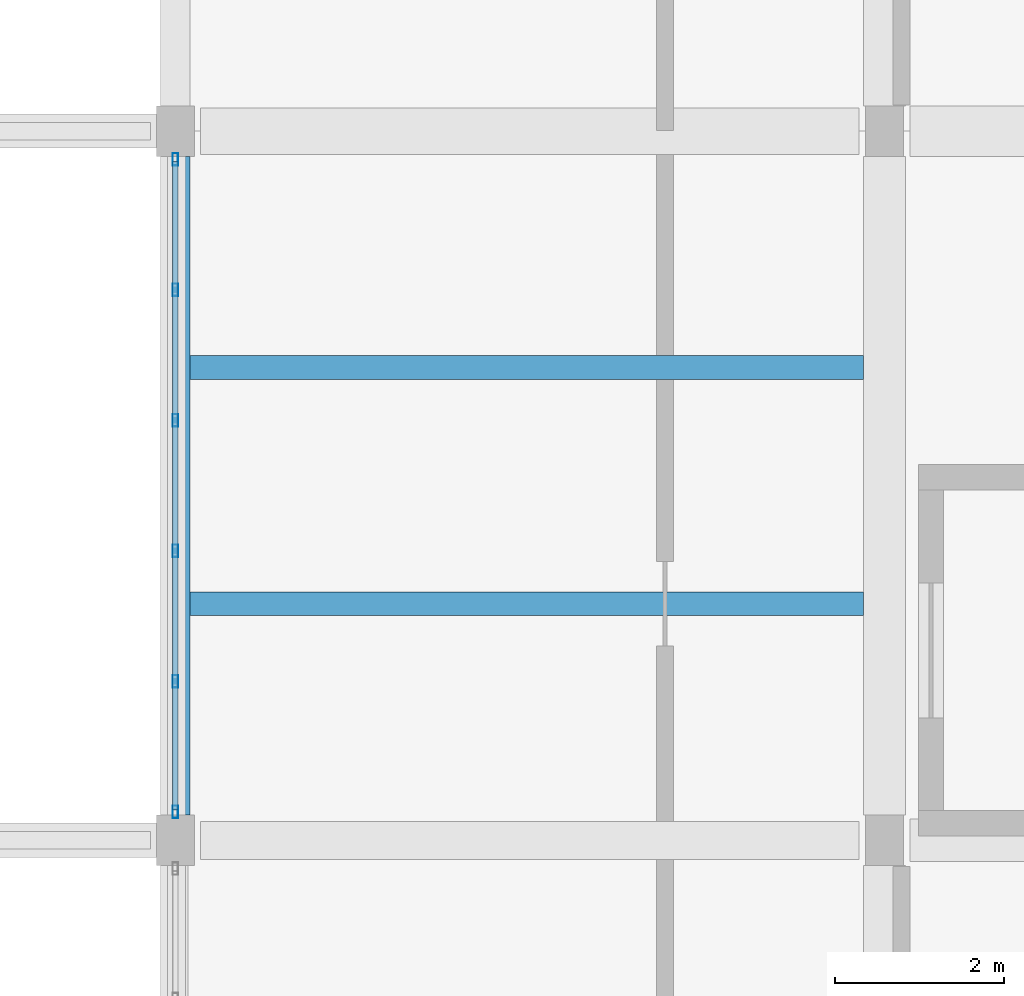
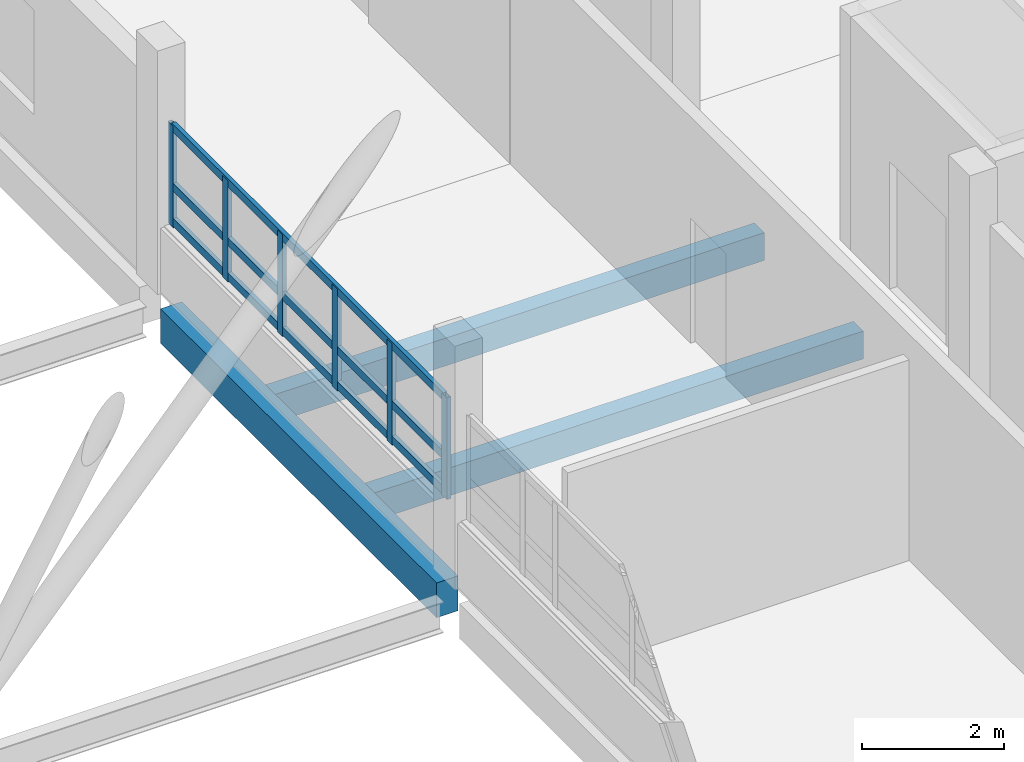
# One storey, part 46 of 107: 9 members, 3 beams, 1 element without a shape of its own.
"""IFC4 building model written with IfcOpenShell, lengths in metres."""

from ifc_helpers import new_model, si_unit, direction, frame, origin, origin_2d, place, context, subcontext, project, spatial, rectangle, hollow_rectangle, extrude, material, layer, layer_set, material_profile, profile_set, type_object, element, aggregate, save


model = new_model("IFC4")

# Units and contexts
model_context = context("Model", 3, precision=1e-05, world=origin(), true_north=direction((0.0, 1.0)))
body_context = subcontext(model_context, "Body", "Model", "MODEL_VIEW")
ifc_project = project(units=[si_unit("LENGTHUNIT", "METRE"), si_unit("AREAUNIT", "SQUARE_METRE"), si_unit("VOLUMEUNIT", "CUBIC_METRE"), si_unit("PLANEANGLEUNIT", "RADIAN"), si_unit("MASSUNIT", "GRAM", prefix="KILO")], contexts=[model_context])

# Site, building, storey
site_placement = place(None, origin())
site = spatial("IfcSite", under=ifc_project, at=site_placement, CompositionType="ELEMENT")
building_placement = place(site_placement, origin())
building = spatial("IfcBuilding", under=site, at=building_placement, Name="Vireocrest Preparatory School", CompositionType="ELEMENT")
storey_placement = place(building_placement, frame((0.0, 0.0, 13.199951171875)))
storey = spatial("IfcBuildingStorey", under=building, at=storey_placement, Name="L03", CompositionType="ELEMENT", Elevation=13.199951171875)

# Curtain wall, members
ifc_material_1 = material(Name="Thermally broken aluminium EN AW-6063-T6", Category="aluminium")
ifc_layer = layer(ifc_material_1, 0.179931640625)
ifc_layer_set = layer_set([ifc_layer], Name="Thermally broken aluminium EN AW-6063-T6")
curtain_wall_type = type_object("IfcCurtainWallType", Name="Court Banded Curtain Wall 8400x3000", PredefinedType="USERDEFINED", material=ifc_layer_set)
curtain_wall_placement = place(storey_placement, origin())
curtain_wall = element("IfcCurtainWall", 1, at=curtain_wall_placement, inside=storey, type_object=curtain_wall_type, Name="Curtain Wall CW02 CW_L03_CW02_0924_0777_144", ObjectType="CURTAIN WALL", PredefinedType="USERDEFINED")
ifc_material_profile_1 = material_profile(ifc_material_1, hollow_rectangle(XDim=0.06494140625, YDim=0.14990234375, WallThickness=0.00390625, at=origin_2d()), Name="ALU 65x150x4")
ifc_profile_set_1 = profile_set([ifc_material_profile_1], Name="Thermally broken aluminium EN AW-6063-T6")
member_type_1 = type_object("IfcMemberType", Name="CW Mullion 65x150x4", PredefinedType="MULLION", material=ifc_profile_set_1)
member_1_placement = place(storey_placement, frame((92.39990234375, 77.735107421875, 1.150146484375), z_axis=(0.0, 0.0, 1.0), x_axis=(1.0, 0.0, 0.0)))
member_1 = element("IfcMember", 2, at=member_1_placement, type_object=member_type_1, Name="CW Mullion ML1 CW_L03_CW02_0924_0777_144-1", PredefinedType="MULLION", context=body_context, shape_type="SweptSolid", body=[
    extrude(hollow_rectangle(XDim=0.06494140625, YDim=0.14990234375, WallThickness=0.00390625, at=origin_2d()), origin(), (0.0, 0.0, 1.0), 1.7548828125),
])
member_2_placement = place(storey_placement, frame((92.39990234375, 79.281005859375, 1.150146484375), z_axis=(0.0, 0.0, 1.0), x_axis=(1.0, 0.0, 0.0)))
member_2 = element("IfcMember", 3, at=member_2_placement, type_object=member_type_1, Name="CW Mullion ML1 CW_L03_CW02_0924_0777_144-2", PredefinedType="MULLION", context=body_context, shape_type="SweptSolid", body=[
    extrude(hollow_rectangle(XDim=0.06494140625, YDim=0.14990234375, WallThickness=0.00390625, at=origin_2d()), origin(), (0.0, 0.0, 1.0), 1.7548828125),
])
member_3_placement = place(storey_placement, frame((92.39990234375, 80.826904296875, 1.150146484375), z_axis=(0.0, 0.0, 1.0), x_axis=(1.0, 0.0, 0.0)))
member_3 = element("IfcMember", 4, at=member_3_placement, type_object=member_type_1, Name="CW Mullion ML1 CW_L03_CW02_0924_0777_144-3", PredefinedType="MULLION", context=body_context, shape_type="SweptSolid", body=[
    extrude(hollow_rectangle(XDim=0.06494140625, YDim=0.14990234375, WallThickness=0.00390625, at=origin_2d()), origin(), (0.0, 0.0, 1.0), 1.7548828125),
])
member_4_placement = place(storey_placement, frame((92.39990234375, 82.373046875, 1.150146484375), z_axis=(0.0, 0.0, 1.0), x_axis=(1.0, 0.0, 0.0)))
member_4 = element("IfcMember", 5, at=member_4_placement, type_object=member_type_1, Name="CW Mullion ML1 CW_L03_CW02_0924_0777_144-4", PredefinedType="MULLION", context=body_context, shape_type="SweptSolid", body=[
    extrude(hollow_rectangle(XDim=0.06494140625, YDim=0.14990234375, WallThickness=0.00390625, at=origin_2d()), origin(), (0.0, 0.0, 1.0), 1.7548828125),
])
member_5_placement = place(storey_placement, frame((92.39990234375, 83.9189453125, 1.150146484375), z_axis=(0.0, 0.0, 1.0), x_axis=(1.0, 0.0, 0.0)))
member_5 = element("IfcMember", 6, at=member_5_placement, type_object=member_type_1, Name="CW Mullion ML1 CW_L03_CW02_0924_0777_144-5", PredefinedType="MULLION", context=body_context, shape_type="SweptSolid", body=[
    extrude(hollow_rectangle(XDim=0.06494140625, YDim=0.14990234375, WallThickness=0.00390625, at=origin_2d()), origin(), (0.0, 0.0, 1.0), 1.7548828125),
])
member_6_placement = place(storey_placement, frame((92.39990234375, 85.465087890625, 1.150146484375), z_axis=(0.0, 0.0, 1.0), x_axis=(1.0, 0.0, 0.0)))
member_6 = element("IfcMember", 7, at=member_6_placement, type_object=member_type_1, Name="CW Mullion ML1 CW_L03_CW02_0924_0777_144-6", PredefinedType="MULLION", context=body_context, shape_type="SweptSolid", body=[
    extrude(hollow_rectangle(XDim=0.06494140625, YDim=0.14990234375, WallThickness=0.00390625, at=origin_2d()), origin(), (0.0, 0.0, 1.0), 1.7548828125),
])
ifc_material_profile_2 = material_profile(ifc_material_1, hollow_rectangle(XDim=0.06494140625, YDim=0.139892578125, WallThickness=0.00390625, at=origin_2d()), Name="ALU 65x140x4")
ifc_profile_set_2 = profile_set([ifc_material_profile_2], Name="Thermally broken aluminium EN AW-6063-T6")
member_type_2 = type_object("IfcMemberType", Name="CW Transom 65x140x4", PredefinedType="USERDEFINED", material=ifc_profile_set_2)
member_7_placement = place(storey_placement, frame((92.39990234375, 77.760009765625, 1.2451171875), z_axis=(0.0, 1.0, 0.0), x_axis=(-1.0, 0.0, 0.0)))
member_7 = element("IfcMember", 8, at=member_7_placement, type_object=member_type_2, Name="CW Transom TR1 CW_L03_CW02_0924_0777_144-1", ObjectType="TRANSOM", PredefinedType="USERDEFINED", context=body_context, shape_type="SweptSolid", body=[
    extrude(hollow_rectangle(XDim=0.06494140625, YDim=0.139892578125, WallThickness=0.00390625, at=origin_2d()), origin(), (0.0, 0.0, 1.0), 7.679931640625),
])
member_8_placement = place(storey_placement, frame((92.39990234375, 77.760009765625, 1.85009765625), z_axis=(0.0, 1.0, 0.0), x_axis=(-1.0, 0.0, 0.0)))
member_8 = element("IfcMember", 9, at=member_8_placement, type_object=member_type_2, Name="CW Transom TR1 CW_L03_CW02_0924_0777_144-2", ObjectType="TRANSOM", PredefinedType="USERDEFINED", context=body_context, shape_type="SweptSolid", body=[
    extrude(hollow_rectangle(XDim=0.06494140625, YDim=0.139892578125, WallThickness=0.00390625, at=origin_2d()), origin(), (0.0, 0.0, 1.0), 7.679931640625),
])
member_9_placement = place(storey_placement, frame((92.39990234375, 77.760009765625, 2.864990234375), z_axis=(0.0, 1.0, 0.0), x_axis=(-1.0, 0.0, 0.0)))
member_9 = element("IfcMember", 10, at=member_9_placement, type_object=member_type_2, Name="CW Transom TR1 CW_L03_CW02_0924_0777_144-3", ObjectType="TRANSOM", PredefinedType="USERDEFINED", context=body_context, shape_type="SweptSolid", body=[
    extrude(hollow_rectangle(XDim=0.06494140625, YDim=0.139892578125, WallThickness=0.00390625, at=origin_2d()), origin(), (0.0, 0.0, 1.0), 7.679931640625),
])
aggregate(curtain_wall, [member_1, member_2, member_3, member_4, member_5, member_6, member_7, member_8, member_9])

# Beams
ifc_material_2 = material(Name="Concrete 40 MPa", Category="concrete")
ifc_material_profile_3 = material_profile(ifc_material_2, rectangle(XDim=0.35009765625, YDim=0.60009765625, at=origin_2d()), Name="RC 350x600")
ifc_profile_set_3 = profile_set([ifc_material_profile_3], Name="Concrete 40 MPa")
beam_type_1 = type_object("IfcBeamType", Name="RC Classroom Girder 350x600", PredefinedType="BEAM", material=ifc_profile_set_3)
beam_placement = place(storey_placement, frame((92.39990234375, 77.699951171875, -0.56005859375), z_axis=(0.0, 1.0, 0.0), x_axis=(-1.0, 0.0, 0.0)))
element("IfcBeam", 11, at=beam_placement, inside=storey, type_object=beam_type_1, Name="Primary Girder B04 L03-1149", PredefinedType="BEAM", context=body_context, shape_type="SweptSolid", body=[
    extrude(rectangle(XDim=0.35009765625, YDim=0.60009765625, at=origin_2d()), origin(), (0.0, 0.0, 1.0), 7.800048828125),
])
ifc_material_profile_4 = material_profile(ifc_material_2, rectangle(XDim=0.280029296875, YDim=0.47998046875, at=origin_2d()), Name="RC 280x480")
ifc_profile_set_4 = profile_set([ifc_material_profile_4], Name="Concrete 40 MPa")
beam_type_2 = type_object("IfcBeamType", Name="RC Secondary Lab Joist 280x480", PredefinedType="JOIST", material=ifc_profile_set_4)
for number, where, z_axis, x_axis, name in (
    (12, (92.574951171875, 80.199951171875, -0.5), (1.0, 0.0, 0.0), (0.0, 1.0, 0.0), "Secondary Joist J02 L03-1251"),
    (13, (92.574951171875, 83.0, -0.5), (1.0, 0.0, 0.0), (0.0, 1.0, 0.0), "Secondary Joist J02 L03-1252"),
):
    element("IfcBeam", number, at=place(storey_placement, frame(where, z_axis=z_axis, x_axis=x_axis)), inside=storey, type_object=beam_type_2, Name=name, PredefinedType="JOIST", context=body_context, shape_type="SweptSolid", body=[
        extrude(rectangle(XDim=0.280029296875, YDim=0.47998046875, at=origin_2d()), origin(), (0.0, 0.0, 1.0), 7.97509765625),
    ])

save(model, "model.ifc")
